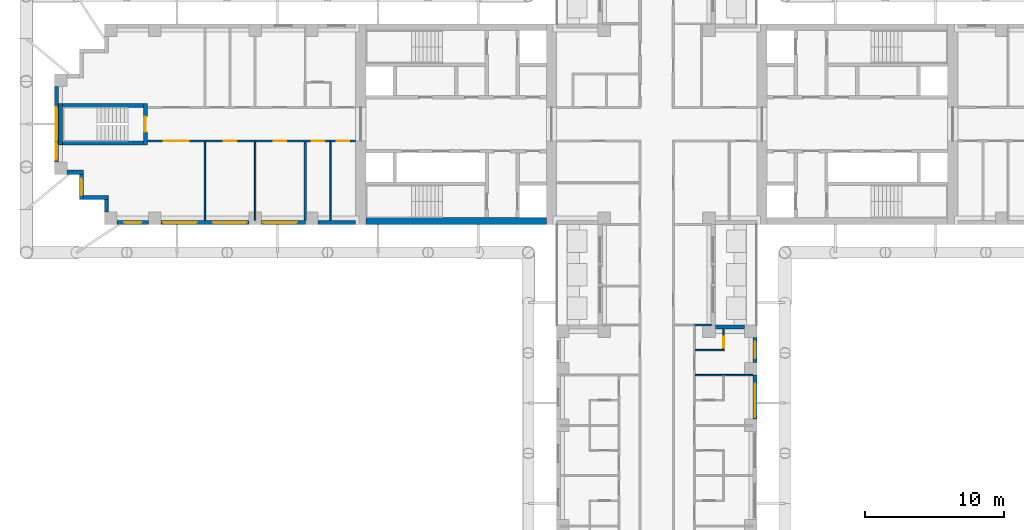
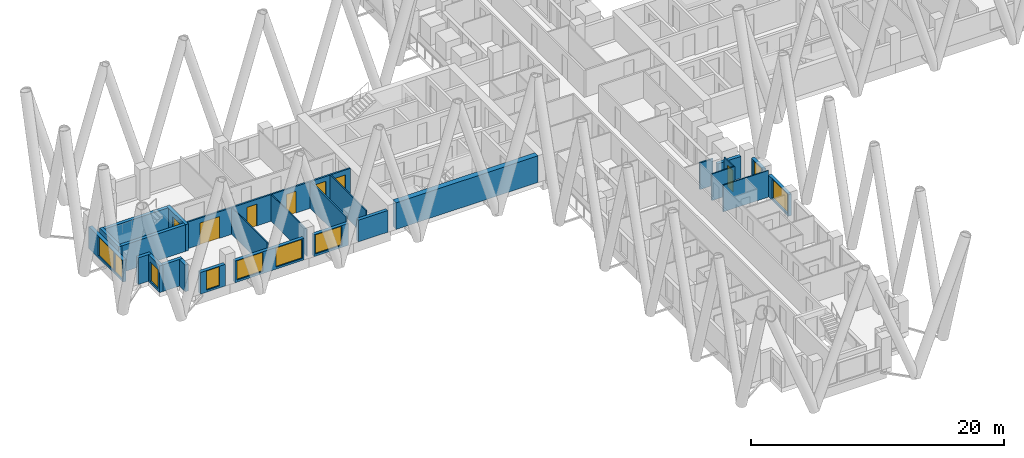
# One storey, part 6 of 16: 26 walls, 9 windows, 7 doors, 16 openings.
"""IFC4 building model written with IfcOpenShell, lengths in metres."""

import ifcopenshell
import ifcopenshell.guid

model = None  # the IFC model being written
_history = None  # IfcOwnerHistory: only IFC2X3 demands one
_inside = {}  # id of a spatial element -> (the spatial element, [elements in it])
_under = {}  # id of a project, library or spatial element -> (it, [spatial elements below it])
_declared = {}  # id of a project -> (the project, [libraries it declares])
_typed = {}  # id of a type object -> (the type object, [elements of that type])
_made_of = {}  # id of a material, layer set ... -> (it, [elements and type objects made of it])


def new_model(schema):
    """Start an empty IFC model of exactly this schema.

    Asked for "IFC4X3", IfcOpenShell would pick the latest addendum, in which some entities
    have other attributes; the version numbers below select the first issue.
    IFC2X3 requires an IfcOwnerHistory on every rooted entity: one is made here for all.
    """
    global model, _history
    if schema == "IFC4X3":
        model = ifcopenshell.file(schema_version=(4, 3, 0, 0))
    else:
        model = ifcopenshell.file(schema=schema)
    _inside.clear()
    _under.clear()
    _declared.clear()
    _typed.clear()
    _made_of.clear()
    _history = None
    if model.schema == "IFC2X3":
        org = make("IfcOrganization", Name="unknown")
        user = make(
            "IfcPersonAndOrganization",
            ThePerson=make("IfcPerson", FamilyName="unknown"),
            TheOrganization=org,
        )
        app = make(
            "IfcApplication",
            ApplicationDeveloper=org,
            Version="unknown",
            ApplicationFullName="unknown",
            ApplicationIdentifier="unknown",
        )
        _history = make(
            "IfcOwnerHistory",
            OwningUser=user,
            OwningApplication=app,
            ChangeAction="ADDED",
            CreationDate=0,
        )
    return model


def make(cls, **values):
    """One entity of the class cls with the attributes given. An attribute that is None is left unset."""
    return model.create_entity(
        cls, **{name: value for name, value in values.items() if value is not None}
    )


def rooted(cls, **values):
    """An entity with a GlobalId (a new one), such as an element, a storey or a relation."""
    return make(cls, GlobalId=ifcopenshell.guid.new(), OwnerHistory=_history, **values)


def si_unit(unit_type, name, prefix=None):
    """IfcSIUnit, for example si_unit("LENGTHUNIT", "METRE", prefix="MILLI")."""
    return make("IfcSIUnit", UnitType=unit_type, Prefix=prefix, Name=name)


def assignment(units):
    """IfcUnitAssignment: the units of a project."""
    return None if units is None else make("IfcUnitAssignment", Units=units)


def point(xyz):
    """IfcCartesianPoint."""
    return None if xyz is None else make("IfcCartesianPoint", Coordinates=xyz)


def direction(xyz):
    """IfcDirection."""
    return None if xyz is None else make("IfcDirection", DirectionRatios=xyz)


def frame(location, z_axis=None, x_axis=None):
    """IfcAxis2Placement3D, a coordinate frame: its origin and axes. An axis left out is left unset."""
    return make(
        "IfcAxis2Placement3D",
        Location=point(location),
        Axis=direction(z_axis),
        RefDirection=direction(x_axis),
    )


def frame_2d(location, x_axis=None):
    """IfcAxis2Placement2D, a coordinate frame in the plane: its origin and x axis."""
    return make(
        "IfcAxis2Placement2D", Location=point(location), RefDirection=direction(x_axis)
    )


def origin():
    """The frame at (0, 0, 0) with its axes left unset."""
    return frame((0.0, 0.0, 0.0))


def place(relative_to, where):
    """IfcLocalPlacement: puts the frame where relative to a parent placement (None: the world)."""
    return make(
        "IfcLocalPlacement", PlacementRelTo=relative_to, RelativePlacement=where
    )


def context(
    kind, dimensions, precision=None, world=None, true_north=None, identifier=None
):
    """IfcGeometricRepresentationContext, for example the 3D "Model" context."""
    return make(
        "IfcGeometricRepresentationContext",
        ContextIdentifier=identifier,
        ContextType=kind,
        CoordinateSpaceDimension=dimensions,
        Precision=precision,
        WorldCoordinateSystem=world,
        TrueNorth=true_north,
    )


def subcontext(parent, identifier, kind, view, scale=None):
    """IfcGeometricRepresentationSubContext, for example "Body" below "Model"."""
    return make(
        "IfcGeometricRepresentationSubContext",
        ContextIdentifier=identifier,
        ContextType=kind,
        ParentContext=parent,
        TargetScale=scale,
        TargetView=view,
    )


def project(units=None, contexts=None):
    """IfcProject with its units and contexts."""
    return rooted(
        "IfcProject",
        Name="project",
        RepresentationContexts=contexts,
        UnitsInContext=assignment(units),
    )


def spatial(cls, under=None, at=None, **own):
    """A site, building, storey or space (cls), placed at a placement, below another one or the project."""
    s = rooted(cls, ObjectPlacement=at, **own)
    if under is not None:
        _under.setdefault(under.id(), (under, []))[1].append(s)
    return s


def profile(cls, at=None, kind="AREA", **sizes):
    """A parametric profile (cls). Its sizes go by their IFC names, for example OverallWidth=200.0."""
    return make(cls, ProfileType=kind, Position=at, **sizes)


def rectangle(**sizes):
    """IfcRectangleProfileDef."""
    return profile("IfcRectangleProfileDef", **sizes)


def extrude(swept, where, along, depth):
    """IfcExtrudedAreaSolid: the profile swept, set in the frame where, extruded along a direction by depth."""
    return make(
        "IfcExtrudedAreaSolid",
        SweptArea=swept,
        Position=where,
        ExtrudedDirection=direction(along),
        Depth=depth,
    )


def shape(context_of_items, identifier, shape_type, items):
    """IfcShapeRepresentation: the items that make up one representation, for example the "Body"."""
    return make(
        "IfcShapeRepresentation",
        ContextOfItems=context_of_items,
        RepresentationIdentifier=identifier,
        RepresentationType=shape_type,
        Items=items,
    )


def material(Name=None, Category=None):
    """IfcMaterial."""
    return make("IfcMaterial", Name=Name, Category=Category)


def layer(
    of_material, thickness, ventilated=None, Name=None, Category=None, Priority=None
):
    """IfcMaterialLayer: one layer of a wall or slab, of a material (None: an air gap)."""
    return make(
        "IfcMaterialLayer",
        Material=of_material,
        LayerThickness=thickness,
        IsVentilated=ventilated,
        Name=Name,
        Category=Category,
        Priority=Priority,
    )


def layer_set(layers, Name=None):
    """IfcMaterialLayerSet."""
    return make("IfcMaterialLayerSet", MaterialLayers=layers, LayerSetName=Name)


def made_of(thing, what):
    """Note that an element or type object is made of a material, layer set ...; save() writes the relation."""
    if what is not None:
        _made_of.setdefault(what.id(), (what, []))[1].append(thing)
    return thing


def type_object(cls, material=None, **own):
    """A type object (cls), such as IfcWallType, which elements share."""
    return made_of(rooted(cls, **own), material)


def element(
    cls,
    number,
    at=None,
    inside=None,
    cuts=None,
    type_object=None,
    material=None,
    context=None,
    identifier="Body",
    shape_type=None,
    held_by="IfcProductDefinitionShape",
    body=None,
    shapes=None,
    **own,
):
    """One element of the class cls, such as IfcWall. Its Tag is "e" and its number.

    at: its placement. inside: the storey or other place that contains it. cuts: it is an
    opening in that element (IfcRelVoidsElement). A single representation is given by context,
    identifier, shape_type and body (its items); several are given by shapes. held_by: the class
    of the entity that holds the representations. save() writes the other relations.
    """
    e = rooted(cls, Tag="e%d" % number, ObjectPlacement=at, **own)
    if body is not None:
        shapes = [shape(context, identifier, shape_type, body)]
    if shapes is not None:
        e.Representation = make(held_by, Representations=shapes)
    if inside is not None:
        _inside.setdefault(inside.id(), (inside, []))[1].append(e)
    if cuts is not None:
        rooted(
            "IfcRelVoidsElement", RelatingBuildingElement=cuts, RelatedOpeningElement=e
        )
    if type_object is not None:
        _typed.setdefault(type_object.id(), (type_object, []))[1].append(e)
    return made_of(e, material)


def fill(opening, filler):
    """IfcRelFillsElement: the door or window that sits in an opening."""
    return rooted(
        "IfcRelFillsElement",
        RelatingOpeningElement=opening,
        RelatedBuildingElement=filler,
    )


def aggregate(whole, parts):
    """IfcRelAggregates: a whole, such as a stair, and the parts it consists of."""
    return rooted("IfcRelAggregates", RelatingObject=whole, RelatedObjects=parts)


def save(model, path):
    """Write the relations noted so far, then the file.

    IfcRelAggregates (storeys below a building ...), IfcRelContainedInSpatialStructure (elements
    in a storey), IfcRelDefinesByType, IfcRelAssociatesMaterial and IfcRelDeclares: one each for
    every whole, place, type object, material and project.
    """
    for whole, parts in _under.values():
        aggregate(whole, parts)
    for where, things in _inside.values():
        rooted(
            "IfcRelContainedInSpatialStructure",
            RelatedElements=things,
            RelatingStructure=where,
        )
    for kind, things in _typed.values():
        rooted("IfcRelDefinesByType", RelatedObjects=things, RelatingType=kind)
    for what, things in _made_of.values():
        rooted("IfcRelAssociatesMaterial", RelatedObjects=things, RelatingMaterial=what)
    for by, libraries in _declared.values():
        rooted("IfcRelDeclares", RelatingContext=by, RelatedDefinitions=libraries)
    model.write(path)


model = new_model("IFC4")

# Units and contexts
model_context = context("Model", 3, precision=1e-05, world=origin(), true_north=direction((0.0, 1.0)))
body_context = subcontext(model_context, "Body", "Model", "MODEL_VIEW")
ifc_project = project(units=[si_unit("LENGTHUNIT", "METRE"), si_unit("AREAUNIT", "SQUARE_METRE"), si_unit("VOLUMEUNIT", "CUBIC_METRE"), si_unit("PLANEANGLEUNIT", "RADIAN"), si_unit("MASSUNIT", "GRAM", prefix="KILO")], contexts=[model_context])

# Site, building, storey
site_placement = place(None, origin())
site = spatial("IfcSite", under=ifc_project, at=site_placement, CompositionType="ELEMENT")
building_placement = place(site_placement, origin())
building = spatial("IfcBuilding", under=site, at=building_placement, Name="Fustian Cross Tower", CompositionType="ELEMENT")
storey_placement = place(building_placement, frame((0.0, 0.0, 20.699951171875)))
storey = spatial("IfcBuildingStorey", under=building, at=storey_placement, Name="L05", CompositionType="ELEMENT", Elevation=20.699951171875)

# Wall, openings, doors
ifc_material_1 = material(Name="Plasterboard on steel stud", Category="steel")
ifc_layer_1 = layer(ifc_material_1, 0.14990234375)
ifc_layer_set_1 = layer_set([ifc_layer_1], Name="Plasterboard on steel stud")
wall_type_1 = type_object("IfcWallType", Name="COMPARTMENT WALL 150 EI 60", PredefinedType="PARTITIONING", material=ifc_layer_set_1)
wall_1_placement = place(storey_placement, frame((-36.5, -1.199951171875, 0.0), z_axis=(0.0, 0.0, 1.0), x_axis=(1.0, 0.0, 0.0)))
wall_1 = element("IfcWall", 1, at=wall_1_placement, inside=storey, type_object=wall_type_1, Name="Partition 1", PredefinedType="PARTITIONING", context=body_context, shape_type="SweptSolid", body=[
    extrude(rectangle(XDim=14.89990234375, YDim=0.14990234375, at=frame_2d((7.449951171875, 0.0))), origin(), (0.0, 0.0, 1.0), 2.574951171875),
])
opening_1_placement = place(wall_1_placement, frame((13.550048828125, 0.0, 0.0)))
opening_1 = element("IfcOpeningElement", 2, at=opening_1_placement, cuts=wall_1, Name="Opening D05039", PredefinedType="OPENING", context=body_context, shape_type="SweptSolid", body=[
    extrude(rectangle(XDim=0.89990234375, YDim=2.10009765625, at=frame_2d((0.449951171875, 1.050048828125))), frame((0.0, 0.0849609375, 0.0), z_axis=(0.0, -1.0, 0.0), x_axis=(1.0, 0.0, 0.0)), (0.0, 0.0, 1.0), 0.169921875),
])
opening_2_placement = place(wall_1_placement, frame((11.75, 0.0, 0.0)))
opening_2 = element("IfcOpeningElement", 3, at=opening_2_placement, cuts=wall_1, Name="Opening D05040", PredefinedType="OPENING", context=body_context, shape_type="SweptSolid", body=[
    extrude(rectangle(XDim=0.89990234375, YDim=2.10009765625, at=frame_2d((0.449951171875, 1.050048828125))), frame((0.0, 0.0849609375, 0.0), z_axis=(0.0, -1.0, 0.0), x_axis=(1.0, 0.0, 0.0)), (0.0, 0.0, 1.0), 0.169921875),
])
opening_3_placement = place(wall_1_placement, frame((9.050048828125, 0.0, 0.0)))
opening_3 = element("IfcOpeningElement", 4, at=opening_3_placement, cuts=wall_1, Name="Opening D05041", PredefinedType="OPENING", context=body_context, shape_type="SweptSolid", body=[
    extrude(rectangle(XDim=0.89990234375, YDim=2.10009765625, at=frame_2d((0.449951171875, 1.050048828125))), frame((0.0, 0.0849609375, 0.0), z_axis=(0.0, -1.0, 0.0), x_axis=(1.0, 0.0, 0.0)), (0.0, 0.0, 1.0), 0.169921875),
])
opening_4_placement = place(wall_1_placement, frame((5.449951171875, 0.0, 0.0)))
opening_4 = element("IfcOpeningElement", 5, at=opening_4_placement, cuts=wall_1, Name="Opening D05042", PredefinedType="OPENING", context=body_context, shape_type="SweptSolid", body=[
    extrude(rectangle(XDim=0.89990234375, YDim=2.10009765625, at=frame_2d((0.449951171875, 1.050048828125))), frame((0.0, 0.0849609375, 0.0), z_axis=(0.0, -1.0, 0.0), x_axis=(1.0, 0.0, 0.0)), (0.0, 0.0, 1.0), 0.169921875),
])
opening_5_placement = place(wall_1_placement, frame((1.14990234375, 0.0, 0.0)))
opening_5 = element("IfcOpeningElement", 6, at=opening_5_placement, cuts=wall_1, Name="Opening D05043", PredefinedType="OPENING", context=body_context, shape_type="SweptSolid", body=[
    extrude(rectangle(XDim=1.800048828125, YDim=2.10009765625, at=frame_2d((0.89990234375, 1.050048828125))), frame((0.0, 0.0849609375, 0.0), z_axis=(0.0, -1.0, 0.0), x_axis=(1.0, 0.0, 0.0)), (0.0, 0.0, 1.0), 0.169921875),
])
ifc_material_2 = material(Name="Timber fire door set", Category="wood")
door_type_1 = type_object("IfcDoorType", Name="FIRE DOUBLE DOOR 1800 FD30S", OperationType="DOUBLE_DOOR_DOUBLE_SWING", PredefinedType="DOOR", material=ifc_material_2)
door_1_placement = place(opening_5_placement, origin())
door_1 = element("IfcDoor", 7, at=door_1_placement, inside=storey, type_object=door_type_1, Name="Door D05043", OperationType="DOUBLE_DOOR_DOUBLE_SWING", OverallHeight=2.10009765625, OverallWidth=1.800048828125, PredefinedType="DOOR", context=body_context, shape_type="SweptSolid", body=[
    extrude(rectangle(XDim=1.800048828125, YDim=2.10009765625, at=frame_2d((0.89990234375, 1.050048828125))), frame((0.0, 0.02490234375, 0.0), z_axis=(0.0, -1.0, 0.0), x_axis=(1.0, 0.0, 0.0)), (0.0, 0.0, 1.0), 0.050048828125),
])
fill(opening_5, door_1)
ifc_material_3 = material(Name="Timber fire door set", Category="wood")
door_type_2 = type_object("IfcDoorType", Name="FIRE SWING DOOR 900 FD30S", OperationType="SINGLE_SWING_LEFT", PredefinedType="DOOR", material=ifc_material_3)
door_2_placement = place(opening_1_placement, frame((0.89990234375, 0.0, 0.0), z_axis=(0.0, 0.0, 1.0), x_axis=(-1.0, 0.0, 0.0)))
door_2 = element("IfcDoor", 8, at=door_2_placement, inside=storey, type_object=door_type_2, Name="Door D05039", OperationType="SINGLE_SWING_LEFT", OverallHeight=2.10009765625, OverallWidth=0.89990234375, PredefinedType="DOOR", context=body_context, shape_type="SweptSolid", body=[
    extrude(rectangle(XDim=0.89990234375, YDim=2.10009765625, at=frame_2d((0.449951171875, 1.050048828125))), frame((0.0, 0.02490234375, 0.0), z_axis=(0.0, -1.0, 0.0), x_axis=(1.0, 0.0, 0.0)), (0.0, 0.0, 1.0), 0.050048828125),
])
fill(opening_1, door_2)
door_3_placement = place(opening_2_placement, frame((0.89990234375, 0.0, 0.0), z_axis=(0.0, 0.0, 1.0), x_axis=(-1.0, 0.0, 0.0)))
door_3 = element("IfcDoor", 9, at=door_3_placement, inside=storey, type_object=door_type_2, Name="Door D05040", OperationType="SINGLE_SWING_LEFT", OverallHeight=2.10009765625, OverallWidth=0.89990234375, PredefinedType="DOOR", context=body_context, shape_type="SweptSolid", body=[
    extrude(rectangle(XDim=0.89990234375, YDim=2.10009765625, at=frame_2d((0.449951171875, 1.050048828125))), frame((0.0, 0.02490234375, 0.0), z_axis=(0.0, -1.0, 0.0), x_axis=(1.0, 0.0, 0.0)), (0.0, 0.0, 1.0), 0.050048828125),
])
fill(opening_2, door_3)
door_4_placement = place(opening_3_placement, frame((0.89990234375, 0.0, 0.0), z_axis=(0.0, 0.0, 1.0), x_axis=(-1.0, 0.0, 0.0)))
door_4 = element("IfcDoor", 10, at=door_4_placement, inside=storey, type_object=door_type_2, Name="Door D05041", OperationType="SINGLE_SWING_RIGHT", OverallHeight=2.10009765625, OverallWidth=0.89990234375, PredefinedType="DOOR", context=body_context, shape_type="SweptSolid", body=[
    extrude(rectangle(XDim=0.89990234375, YDim=2.10009765625, at=frame_2d((0.449951171875, 1.050048828125))), frame((0.0, 0.02490234375, 0.0), z_axis=(0.0, -1.0, 0.0), x_axis=(1.0, 0.0, 0.0)), (0.0, 0.0, 1.0), 0.050048828125),
])
fill(opening_3, door_4)
door_5_placement = place(opening_4_placement, frame((0.89990234375, 0.0, 0.0), z_axis=(0.0, 0.0, 1.0), x_axis=(-1.0, 0.0, 0.0)))
door_5 = element("IfcDoor", 11, at=door_5_placement, inside=storey, type_object=door_type_2, Name="Door D05042", OperationType="SINGLE_SWING_RIGHT", OverallHeight=2.10009765625, OverallWidth=0.89990234375, PredefinedType="DOOR", context=body_context, shape_type="SweptSolid", body=[
    extrude(rectangle(XDim=0.89990234375, YDim=2.10009765625, at=frame_2d((0.449951171875, 1.050048828125))), frame((0.0, 0.02490234375, 0.0), z_axis=(0.0, -1.0, 0.0), x_axis=(1.0, 0.0, 0.0)), (0.0, 0.0, 1.0), 0.050048828125),
])
fill(opening_4, door_5)

# Walls
wall_2_placement = place(storey_placement, frame((-25.199951171875, -6.89990234375, 0.0), z_axis=(0.0, 0.0, 1.0), x_axis=(0.0, 1.0, 0.0)))
element("IfcWall", 12, at=wall_2_placement, inside=storey, type_object=wall_type_1, Name="Partition 8", PredefinedType="PARTITIONING", context=body_context, shape_type="SweptSolid", body=[
    extrude(rectangle(XDim=5.625, YDim=0.14990234375, at=frame_2d((2.8125, 0.0))), origin(), (0.0, 0.0, 1.0), 2.574951171875),
])
ifc_material_4 = material(Name="Concrete C80/95", Category="concrete")
ifc_layer_2 = layer(ifc_material_4, 0.5)
ifc_layer_set_2 = layer_set([ifc_layer_2], Name="Concrete C80/95")
wall_type_2 = type_object("IfcWallType", Name="CORE FACADE WALL 500 C80/95", PredefinedType="SHEAR", material=ifc_layer_set_2)
wall_3_placement = place(storey_placement, frame((-7.89990234375, -6.949951171875, 0.0), z_axis=(0.0, 0.0, 1.0), x_axis=(-1.0, 0.0, 0.0)))
element("IfcWall", 13, at=wall_3_placement, inside=storey, type_object=wall_type_2, Name="Core facade wall", PredefinedType="SHEAR", context=body_context, shape_type="SweptSolid", body=[
    extrude(rectangle(XDim=12.9501953125, YDim=0.5, at=frame_2d((6.47509765625, 0.0))), origin(), (0.0, 0.0, 1.0), 2.574951171875),
])
ifc_material_5 = material(Name="Plasterboard on steel stud", Category="steel")
ifc_layer_3 = layer(ifc_material_5, 0.10009765625)
ifc_layer_set_3 = layer_set([ifc_layer_3], Name="Plasterboard on steel stud")
wall_type_3 = type_object("IfcWallType", Name="PARTITION 100 STUD", PredefinedType="PARTITIONING", material=ifc_layer_set_3)
for number, where, z_axis, x_axis, name in (
    (14, (-32.39990234375, -6.89990234375, 0.0), (0.0, 0.0, 1.0), (0.0, 1.0, 0.0), "Partition 3"),
    (15, (-28.800048828125, -6.89990234375, 0.0), (0.0, 0.0, 1.0), (0.0, 1.0, 0.0), "Partition 6"),
    (16, (-23.39990234375, -6.89990234375, 0.0), (0.0, 0.0, 1.0), (0.0, 1.0, 0.0), "Partition 12"),
):
    element("IfcWall", number, at=place(storey_placement, frame(where, z_axis=z_axis, x_axis=x_axis)), inside=storey, type_object=wall_type_3, Name=name, PredefinedType="PARTITIONING", context=body_context, shape_type="SweptSolid", body=[
        extrude(rectangle(XDim=5.625, YDim=0.10009765625, at=frame_2d((2.8125, 0.0))), origin(), (0.0, 0.0, 1.0), 2.574951171875),
    ])
wall_4_placement = place(storey_placement, frame((2.75, -18.0, 0.0), z_axis=(0.0, 0.0, 1.0), x_axis=(1.0, 0.0, 0.0)))
element("IfcWall", 17, at=wall_4_placement, inside=storey, type_object=wall_type_3, Name="Partition 72", PredefinedType="PARTITIONING", context=body_context, shape_type="SweptSolid", body=[
    extrude(rectangle(XDim=4.14990234375, YDim=0.10009765625, at=frame_2d((2.074951171875, 0.0))), origin(), (0.0, 0.0, 1.0), 2.574951171875),
])
wall_5_placement = place(storey_placement, frame((2.75, -16.199951171875, 0.0), z_axis=(0.0, 0.0, 1.0), x_axis=(1.0, 0.0, 0.0)))
element("IfcWall", 18, at=wall_5_placement, inside=storey, type_object=wall_type_3, Name="Partition 73", PredefinedType="PARTITIONING", context=body_context, shape_type="SweptSolid", body=[
    extrude(rectangle(XDim=2.10009765625, YDim=0.10009765625, at=frame_2d((1.050048828125, 0.0))), origin(), (0.0, 0.0, 1.0), 2.574951171875),
])

# Wall, opening, door
wall_6_placement = place(storey_placement, frame((4.800048828125, -16.14990234375, 0.0), z_axis=(0.0, 0.0, 1.0), x_axis=(0.0, 1.0, 0.0)))
wall_6 = element("IfcWall", 19, at=wall_6_placement, inside=storey, type_object=wall_type_3, Name="Partition 83", PredefinedType="PARTITIONING", context=body_context, shape_type="SweptSolid", body=[
    extrude(rectangle(XDim=1.449951171875, YDim=0.10009765625, at=frame_2d((0.72509765625, 0.0))), origin(), (0.0, 0.0, 1.0), 2.574951171875),
])
opening_6_placement = place(wall_6_placement, frame((0.10009765625, 0.0, 0.0)))
opening_6 = element("IfcOpeningElement", 20, at=opening_6_placement, cuts=wall_6, Name="Opening D05059", PredefinedType="OPENING", context=body_context, shape_type="SweptSolid", body=[
    extrude(rectangle(XDim=0.800048828125, YDim=2.10009765625, at=frame_2d((0.39990234375, 1.050048828125))), frame((0.0, 0.06005859375, 0.0), z_axis=(0.0, -1.0, 0.0), x_axis=(1.0, 0.0, 0.0)), (0.0, 0.0, 1.0), 0.1201171875),
])
ifc_material_6 = material(Name="Painted timber", Category="wood")
door_type_3 = type_object("IfcDoorType", Name="SWING DOOR 800", OperationType="SINGLE_SWING_LEFT", PredefinedType="DOOR", material=ifc_material_6)
door_6_placement = place(opening_6_placement, frame((0.800048828125, 0.0, 0.0), z_axis=(0.0, 0.0, 1.0), x_axis=(-1.0, 0.0, 0.0)))
door_6 = element("IfcDoor", 21, at=door_6_placement, inside=storey, type_object=door_type_3, Name="Door D05059", OperationType="SINGLE_SWING_LEFT", OverallHeight=2.10009765625, OverallWidth=0.800048828125, PredefinedType="DOOR", context=body_context, shape_type="SweptSolid", body=[
    extrude(rectangle(XDim=0.800048828125, YDim=2.10009765625, at=frame_2d((0.39990234375, 1.050048828125))), frame((0.0, 0.02490234375, 0.0), z_axis=(0.0, -1.0, 0.0), x_axis=(1.0, 0.0, 0.0)), (0.0, 0.0, 1.0), 0.050048828125),
])
fill(opening_6, door_6)

ifc_material_7 = material(Name="Concrete C50/60", Category="concrete")
ifc_layer_4 = layer(ifc_material_7, 0.300048828125)
ifc_layer_set_4 = layer_set([ifc_layer_4], Name="Concrete C50/60")
wall_type_4 = type_object("IfcWallType", Name="STAIR ENCLOSURE WALL 300 C50/60", PredefinedType="SHEAR", material=ifc_layer_set_4)
wall_7_placement = place(storey_placement, frame((-36.64990234375, -1.5, 0.0), z_axis=(0.0, 0.0, 1.0), x_axis=(0.0, 1.0, 0.0)))
wall_7 = element("IfcWall", 22, at=wall_7_placement, inside=storey, type_object=wall_type_4, Name="Stair enclosure wall", PredefinedType="SHEAR", context=body_context, shape_type="SweptSolid", body=[
    extrude(rectangle(XDim=3.0, YDim=0.300048828125, at=frame_2d((1.5, 0.0))), origin(), (0.0, 0.0, 1.0), 2.574951171875),
])
opening_7_placement = place(wall_7_placement, frame((0.949951171875, 0.0, 0.0)))
opening_7 = element("IfcOpeningElement", 23, at=opening_7_placement, cuts=wall_7, Name="Opening CD-05-34", PredefinedType="OPENING", context=body_context, shape_type="SweptSolid", body=[
    extrude(rectangle(XDim=1.10009765625, YDim=2.10009765625, at=frame_2d((0.550048828125, 1.050048828125))), frame((0.0, 0.159912109375, 0.0), z_axis=(0.0, -1.0, 0.0), x_axis=(1.0, 0.0, 0.0)), (0.0, 0.0, 1.0), 0.320068359375),
])
ifc_material_8 = material(Name="Steel", Category="steel")
door_type_4 = type_object("IfcDoorType", Name="FIRE DOOR FD60S 1100X2100", OperationType="SINGLE_SWING_LEFT", PredefinedType="DOOR", material=ifc_material_8)
door_7_placement = place(opening_7_placement, origin())
door_7 = element("IfcDoor", 24, at=door_7_placement, inside=storey, type_object=door_type_4, Name="Core door CD-05-34", OperationType="SINGLE_SWING_LEFT", OverallHeight=2.10009765625, OverallWidth=1.10009765625, PredefinedType="DOOR", context=body_context, shape_type="SweptSolid", body=[
    extrude(rectangle(XDim=1.10009765625, YDim=2.10009765625, at=frame_2d((0.550048828125, 1.050048828125))), frame((0.0, 0.02490234375, 0.0), z_axis=(0.0, -1.0, 0.0), x_axis=(1.0, 0.0, 0.0)), (0.0, 0.0, 1.0), 0.050048828125),
])
fill(opening_7, door_7)

# Walls
wall_8_placement = place(storey_placement, frame((-42.75, -1.5, 0.0), z_axis=(0.0, 0.0, 1.0), x_axis=(0.0, 1.0, 0.0)))
element("IfcWall", 25, at=wall_8_placement, inside=storey, type_object=wall_type_4, Name="Stair enclosure wall", PredefinedType="SHEAR", context=body_context, shape_type="SweptSolid", body=[
    extrude(rectangle(XDim=3.0, YDim=0.300048828125, at=frame_2d((1.5, 0.0))), origin(), (0.0, 0.0, 1.0), 2.574951171875),
])
for number, where, z_axis, x_axis, name in (
    (26, (-36.800048828125, -1.35009765625, 0.0), (0.0, 0.0, 1.0), (-1.0, 0.0, 0.0), "Stair enclosure wall"),
    (27, (-36.800048828125, 1.35009765625, 0.0), (0.0, 0.0, 1.0), (-1.0, 0.0, 0.0), "Stair enclosure wall"),
):
    element("IfcWall", number, at=place(storey_placement, frame(where, z_axis=z_axis, x_axis=x_axis)), inside=storey, type_object=wall_type_4, Name=name, PredefinedType="SHEAR", context=body_context, shape_type="SweptSolid", body=[
        extrude(rectangle(XDim=5.800048828125, YDim=0.300048828125, at=frame_2d((2.89990234375, 0.0))), origin(), (0.0, 0.0, 1.0), 2.574951171875),
    ])
ifc_material_9 = material(Name="Plasterboard on steel stud", Category="steel")
ifc_layer_5 = layer(ifc_material_9, 0.125)
ifc_layer_set_5 = layer_set([ifc_layer_5], Name="Plasterboard on steel stud")
wall_type_5 = type_object("IfcWallType", Name="WET WALL 125 STUD", PredefinedType="PARTITIONING", material=ifc_layer_set_5)
wall_9_placement = place(storey_placement, frame((2.699951171875, -14.39990234375, 0.0), z_axis=(0.0, 0.0, 1.0), x_axis=(1.0, 0.0, 0.0)))
element("IfcWall", 28, at=wall_9_placement, inside=storey, type_object=wall_type_5, Name="Partition 74", PredefinedType="PARTITIONING", context=body_context, shape_type="SweptSolid", body=[
    extrude(rectangle(XDim=1.199951171875, YDim=0.125, at=frame_2d((0.60009765625, 0.0))), origin(), (0.0, 0.0, 1.0), 2.574951171875),
])

# Wall, openings, windows
ifc_material_10 = material(Name="Dark aluminium cladding on insulated backing wall", Category="aluminium")
ifc_layer_6 = layer(ifc_material_10, 0.300048828125)
ifc_layer_set_6 = layer_set([ifc_layer_6], Name="Dark aluminium cladding on insulated backing wall")
wall_type_6 = type_object("IfcWallType", Name="XW1 EXTERNAL WALL 300", PredefinedType="SOLIDWALL", material=ifc_layer_set_6)
wall_10_placement = place(storey_placement, frame((-43.050048828125, 2.699951171875, 0.0), z_axis=(0.0, 0.0, 1.0), x_axis=(0.0, -1.0, 0.0)))
wall_10 = element("IfcWall", 29, at=wall_10_placement, inside=storey, type_object=wall_type_6, Name="External wall", PredefinedType="SOLIDWALL", context=body_context, shape_type="SweptSolid", body=[
    extrude(rectangle(XDim=5.39990234375, YDim=0.300048828125, at=frame_2d((2.699951171875, 0.0))), origin(), (0.0, 0.0, 1.0), 2.10009765625),
])
opening_8_placement = place(wall_10_placement, frame((1.5, 0.0, 0.199951171875)))
opening_8 = element("IfcOpeningElement", 30, at=opening_8_placement, cuts=wall_10, Name="Opening WN1", PredefinedType="OPENING", context=body_context, shape_type="SweptSolid", body=[
    extrude(rectangle(XDim=2.39990234375, YDim=1.85009765625, at=frame_2d((1.199951171875, 0.925048828125))), frame((0.0, 0.159912109375, 0.0), z_axis=(0.0, -1.0, 0.0), x_axis=(1.0, 0.0, 0.0)), (0.0, 0.0, 1.0), 0.320068359375),
])
opening_9_placement = place(wall_10_placement, frame((4.050048828125, 0.0, 0.199951171875)))
opening_9 = element("IfcOpeningElement", 31, at=opening_9_placement, cuts=wall_10, Name="Opening WN3", PredefinedType="OPENING", context=body_context, shape_type="SweptSolid", body=[
    extrude(rectangle(XDim=1.199951171875, YDim=1.85009765625, at=frame_2d((0.60009765625, 0.925048828125))), frame((0.0, 0.159912109375, 0.0), z_axis=(0.0, -1.0, 0.0), x_axis=(1.0, 0.0, 0.0)), (0.0, 0.0, 1.0), 0.320068359375),
])
ifc_material_11 = material(Name="Dark anodised aluminium and double glazing", Category="aluminium")
window_type_1 = type_object("IfcWindowType", Name="WN1 WINDOW 2400X1850", PartitioningType="SINGLE_PANEL", PredefinedType="WINDOW", material=ifc_material_11)
window_1_placement = place(opening_8_placement, origin())
window_1 = element("IfcWindow", 32, at=window_1_placement, inside=storey, type_object=window_type_1, Name="Window", OverallHeight=1.85009765625, OverallWidth=2.39990234375, PartitioningType="SINGLE_PANEL", PredefinedType="WINDOW", context=body_context, shape_type="SweptSolid", body=[
    extrude(rectangle(XDim=2.39990234375, YDim=1.85009765625, at=frame_2d((1.199951171875, 0.925048828125))), frame((0.0, 0.030029296875, 0.0), z_axis=(0.0, -1.0, 0.0), x_axis=(1.0, 0.0, 0.0)), (0.0, 0.0, 1.0), 0.06005859375),
])
fill(opening_8, window_1)
ifc_material_12 = material(Name="Dark anodised aluminium and double glazing", Category="aluminium")
window_type_2 = type_object("IfcWindowType", Name="WN3 WINDOW 1200X1850", PartitioningType="SINGLE_PANEL", PredefinedType="WINDOW", material=ifc_material_12)
window_2_placement = place(opening_9_placement, origin())
window_2 = element("IfcWindow", 33, at=window_2_placement, inside=storey, type_object=window_type_2, Name="Window", OverallHeight=1.85009765625, OverallWidth=1.199951171875, PartitioningType="SINGLE_PANEL", PredefinedType="WINDOW", context=body_context, shape_type="SweptSolid", body=[
    extrude(rectangle(XDim=1.199951171875, YDim=1.85009765625, at=frame_2d((0.60009765625, 0.925048828125))), frame((0.0, 0.030029296875, 0.0), z_axis=(0.0, -1.0, 0.0), x_axis=(1.0, 0.0, 0.0)), (0.0, 0.0, 1.0), 0.06005859375),
])
fill(opening_9, window_2)

# Wall
wall_11_placement = place(storey_placement, frame((-42.300048828125, -3.449951171875, 0.0), z_axis=(0.0, 0.0, 1.0), x_axis=(1.0, 0.0, 0.0)))
element("IfcWall", 34, at=wall_11_placement, inside=storey, type_object=wall_type_6, Name="External wall", PredefinedType="SOLIDWALL", context=body_context, shape_type="SweptSolid", body=[
    extrude(rectangle(XDim=1.199951171875, YDim=0.300048828125, at=frame_2d((0.60009765625, 0.0))), origin(), (0.0, 0.0, 1.0), 2.574951171875),
])

# Wall, opening, window
wall_12_placement = place(storey_placement, frame((-41.25, -3.60009765625, 0.0), z_axis=(0.0, 0.0, 1.0), x_axis=(0.0, -1.0, 0.0)))
wall_12 = element("IfcWall", 35, at=wall_12_placement, inside=storey, type_object=wall_type_6, Name="External wall", PredefinedType="SOLIDWALL", context=body_context, shape_type="SweptSolid", body=[
    extrude(rectangle(XDim=1.7998046875, YDim=0.300048828125, at=frame_2d((0.89990234375, 0.0))), origin(), (0.0, 0.0, 1.0), 2.574951171875),
])
opening_10_placement = place(wall_12_placement, frame((0.300048828125, 0.0, 0.199951171875)))
opening_10 = element("IfcOpeningElement", 36, at=opening_10_placement, cuts=wall_12, Name="Opening WN3", PredefinedType="OPENING", context=body_context, shape_type="SweptSolid", body=[
    extrude(rectangle(XDim=1.199951171875, YDim=1.85009765625, at=frame_2d((0.60009765625, 0.925048828125))), frame((0.0, 0.159912109375, 0.0), z_axis=(0.0, -1.0, 0.0), x_axis=(1.0, 0.0, 0.0)), (0.0, 0.0, 1.0), 0.320068359375),
])
window_3_placement = place(opening_10_placement, origin())
window_3 = element("IfcWindow", 37, at=window_3_placement, inside=storey, type_object=window_type_2, Name="Window", OverallHeight=1.85009765625, OverallWidth=1.199951171875, PartitioningType="SINGLE_PANEL", PredefinedType="WINDOW", context=body_context, shape_type="SweptSolid", body=[
    extrude(rectangle(XDim=1.199951171875, YDim=1.85009765625, at=frame_2d((0.60009765625, 0.925048828125))), frame((0.0, 0.030029296875, 0.0), z_axis=(0.0, -1.0, 0.0), x_axis=(1.0, 0.0, 0.0)), (0.0, 0.0, 1.0), 0.06005859375),
])
fill(opening_10, window_3)

# Walls
wall_13_placement = place(storey_placement, frame((-41.10009765625, -5.25, 0.0), z_axis=(0.0, 0.0, 1.0), x_axis=(1.0, 0.0, 0.0)))
element("IfcWall", 38, at=wall_13_placement, inside=storey, type_object=wall_type_6, Name="External wall", PredefinedType="SOLIDWALL", context=body_context, shape_type="SweptSolid", body=[
    extrude(rectangle(XDim=1.800048828125, YDim=0.300048828125, at=frame_2d((0.89990234375, 0.0))), origin(), (0.0, 0.0, 1.0), 2.574951171875),
])
wall_14_placement = place(storey_placement, frame((-39.449951171875, -5.39990234375, 0.0), z_axis=(0.0, 0.0, 1.0), x_axis=(0.0, -1.0, 0.0)))
element("IfcWall", 39, at=wall_14_placement, inside=storey, type_object=wall_type_6, Name="External wall", PredefinedType="SOLIDWALL", context=body_context, shape_type="SweptSolid", body=[
    extrude(rectangle(XDim=0.900146484375, YDim=0.300048828125, at=frame_2d((0.4501953125, 0.0))), origin(), (0.0, 0.0, 1.0), 2.574951171875),
])

# Wall, opening, window
wall_15_placement = place(storey_placement, frame((-38.699951171875, -7.050048828125, 0.0), z_axis=(0.0, 0.0, 1.0), x_axis=(1.0, 0.0, 0.0)))
wall_15 = element("IfcWall", 40, at=wall_15_placement, inside=storey, type_object=wall_type_6, Name="External wall", PredefinedType="SOLIDWALL", context=body_context, shape_type="SweptSolid", body=[
    extrude(rectangle(XDim=2.25, YDim=0.300048828125, at=frame_2d((1.125, 0.0))), origin(), (0.0, 0.0, 1.0), 2.10009765625),
])
opening_11_placement = place(wall_15_placement, frame((0.52490234375, 0.0, 0.199951171875)))
opening_11 = element("IfcOpeningElement", 41, at=opening_11_placement, cuts=wall_15, Name="Opening WN3", PredefinedType="OPENING", context=body_context, shape_type="SweptSolid", body=[
    extrude(rectangle(XDim=1.199951171875, YDim=1.85009765625, at=frame_2d((0.60009765625, 0.925048828125))), frame((0.0, 0.159912109375, 0.0), z_axis=(0.0, -1.0, 0.0), x_axis=(1.0, 0.0, 0.0)), (0.0, 0.0, 1.0), 0.320068359375),
])
window_4_placement = place(opening_11_placement, origin())
window_4 = element("IfcWindow", 42, at=window_4_placement, inside=storey, type_object=window_type_2, Name="Window", OverallHeight=1.85009765625, OverallWidth=1.199951171875, PartitioningType="SINGLE_PANEL", PredefinedType="WINDOW", context=body_context, shape_type="SweptSolid", body=[
    extrude(rectangle(XDim=1.199951171875, YDim=1.85009765625, at=frame_2d((0.60009765625, 0.925048828125))), frame((0.0, 0.030029296875, 0.0), z_axis=(0.0, -1.0, 0.0), x_axis=(1.0, 0.0, 0.0)), (0.0, 0.0, 1.0), 0.06005859375),
])
fill(opening_11, window_4)

# Wall, openings, windows
wall_16_placement = place(storey_placement, frame((-35.550048828125, -7.050048828125, 0.0), z_axis=(0.0, 0.0, 1.0), x_axis=(1.0, 0.0, 0.0)))
wall_16 = element("IfcWall", 43, at=wall_16_placement, inside=storey, type_object=wall_type_6, Name="External wall", PredefinedType="SOLIDWALL", context=body_context, shape_type="SweptSolid", body=[
    extrude(rectangle(XDim=6.300048828125, YDim=0.300048828125, at=frame_2d((3.14990234375, 0.0))), origin(), (0.0, 0.0, 1.0), 2.10009765625),
])
opening_12_placement = place(wall_16_placement, frame((0.14990234375, 0.0, 0.199951171875)))
opening_12 = element("IfcOpeningElement", 44, at=opening_12_placement, cuts=wall_16, Name="Opening WN1", PredefinedType="OPENING", context=body_context, shape_type="SweptSolid", body=[
    extrude(rectangle(XDim=2.39990234375, YDim=1.85009765625, at=frame_2d((1.199951171875, 0.925048828125))), frame((0.0, 0.159912109375, 0.0), z_axis=(0.0, -1.0, 0.0), x_axis=(1.0, 0.0, 0.0)), (0.0, 0.0, 1.0), 0.320068359375),
])
opening_13_placement = place(wall_16_placement, frame((3.75, 0.0, 0.199951171875)))
opening_13 = element("IfcOpeningElement", 45, at=opening_13_placement, cuts=wall_16, Name="Opening WN1", PredefinedType="OPENING", context=body_context, shape_type="SweptSolid", body=[
    extrude(rectangle(XDim=2.39990234375, YDim=1.85009765625, at=frame_2d((1.199951171875, 0.925048828125))), frame((0.0, 0.159912109375, 0.0), z_axis=(0.0, -1.0, 0.0), x_axis=(1.0, 0.0, 0.0)), (0.0, 0.0, 1.0), 0.320068359375),
])
window_5_placement = place(opening_12_placement, origin())
window_5 = element("IfcWindow", 46, at=window_5_placement, inside=storey, type_object=window_type_1, Name="Window", OverallHeight=1.85009765625, OverallWidth=2.39990234375, PartitioningType="SINGLE_PANEL", PredefinedType="WINDOW", context=body_context, shape_type="SweptSolid", body=[
    extrude(rectangle(XDim=2.39990234375, YDim=1.85009765625, at=frame_2d((1.199951171875, 0.925048828125))), frame((0.0, 0.030029296875, 0.0), z_axis=(0.0, -1.0, 0.0), x_axis=(1.0, 0.0, 0.0)), (0.0, 0.0, 1.0), 0.06005859375),
])
fill(opening_12, window_5)
window_6_placement = place(opening_13_placement, origin())
window_6 = element("IfcWindow", 47, at=window_6_placement, inside=storey, type_object=window_type_1, Name="Window", OverallHeight=1.85009765625, OverallWidth=2.39990234375, PartitioningType="SINGLE_PANEL", PredefinedType="WINDOW", context=body_context, shape_type="SweptSolid", body=[
    extrude(rectangle(XDim=2.39990234375, YDim=1.85009765625, at=frame_2d((1.199951171875, 0.925048828125))), frame((0.0, 0.030029296875, 0.0), z_axis=(0.0, -1.0, 0.0), x_axis=(1.0, 0.0, 0.0)), (0.0, 0.0, 1.0), 0.06005859375),
])
fill(opening_13, window_6)

# Wall, opening, window
wall_17_placement = place(storey_placement, frame((-28.35009765625, -7.050048828125, 0.0), z_axis=(0.0, 0.0, 1.0), x_axis=(1.0, 0.0, 0.0)))
wall_17 = element("IfcWall", 48, at=wall_17_placement, inside=storey, type_object=wall_type_6, Name="External wall", PredefinedType="SOLIDWALL", context=body_context, shape_type="SweptSolid", body=[
    extrude(rectangle(XDim=3.150146484375, YDim=0.300048828125, at=frame_2d((1.5751953125, 0.0))), origin(), (0.0, 0.0, 1.0), 2.10009765625),
])
opening_14_placement = place(wall_17_placement, frame((0.14990234375, 0.0, 0.199951171875)))
opening_14 = element("IfcOpeningElement", 49, at=opening_14_placement, cuts=wall_17, Name="Opening WN1", PredefinedType="OPENING", context=body_context, shape_type="SweptSolid", body=[
    extrude(rectangle(XDim=2.39990234375, YDim=1.85009765625, at=frame_2d((1.199951171875, 0.925048828125))), frame((0.0, 0.159912109375, 0.0), z_axis=(0.0, -1.0, 0.0), x_axis=(1.0, 0.0, 0.0)), (0.0, 0.0, 1.0), 0.320068359375),
])
window_7_placement = place(opening_14_placement, origin())
window_7 = element("IfcWindow", 50, at=window_7_placement, inside=storey, type_object=window_type_1, Name="Window", OverallHeight=1.85009765625, OverallWidth=2.39990234375, PartitioningType="SINGLE_PANEL", PredefinedType="WINDOW", context=body_context, shape_type="SweptSolid", body=[
    extrude(rectangle(XDim=2.39990234375, YDim=1.85009765625, at=frame_2d((1.199951171875, 0.925048828125))), frame((0.0, 0.030029296875, 0.0), z_axis=(0.0, -1.0, 0.0), x_axis=(1.0, 0.0, 0.0)), (0.0, 0.0, 1.0), 0.06005859375),
])
fill(opening_14, window_7)

# Wall
wall_18_placement = place(storey_placement, frame((-24.300048828125, -7.050048828125, 0.0), z_axis=(0.0, 0.0, 1.0), x_axis=(1.0, 0.0, 0.0)))
element("IfcWall", 51, at=wall_18_placement, inside=storey, type_object=wall_type_6, Name="External wall", PredefinedType="SOLIDWALL", context=body_context, shape_type="SweptSolid", body=[
    extrude(rectangle(XDim=2.699951171875, YDim=0.300048828125, at=frame_2d((1.35009765625, 0.0))), origin(), (0.0, 0.0, 1.0), 2.10009765625),
])

# Wall, opening, window
wall_19_placement = place(storey_placement, frame((7.050048828125, -21.14990234375, 0.0), z_axis=(0.0, 0.0, 1.0), x_axis=(0.0, 1.0, 0.0)))
wall_19 = element("IfcWall", 52, at=wall_19_placement, inside=storey, type_object=wall_type_6, Name="External wall", PredefinedType="SOLIDWALL", context=body_context, shape_type="SweptSolid", body=[
    extrude(rectangle(XDim=3.14990234375, YDim=0.300048828125, at=frame_2d((1.574951171875, 0.0))), origin(), (0.0, 0.0, 1.0), 2.10009765625),
])
opening_15_placement = place(wall_19_placement, frame((0.14990234375, 0.0, 0.199951171875)))
opening_15 = element("IfcOpeningElement", 53, at=opening_15_placement, cuts=wall_19, Name="Opening WN1", PredefinedType="OPENING", context=body_context, shape_type="SweptSolid", body=[
    extrude(rectangle(XDim=2.39990234375, YDim=1.85009765625, at=frame_2d((1.199951171875, 0.925048828125))), frame((0.0, 0.159912109375, 0.0), z_axis=(0.0, -1.0, 0.0), x_axis=(1.0, 0.0, 0.0)), (0.0, 0.0, 1.0), 0.320068359375),
])
window_8_placement = place(opening_15_placement, origin())
window_8 = element("IfcWindow", 54, at=window_8_placement, inside=storey, type_object=window_type_1, Name="Window", OverallHeight=1.85009765625, OverallWidth=2.39990234375, PartitioningType="SINGLE_PANEL", PredefinedType="WINDOW", context=body_context, shape_type="SweptSolid", body=[
    extrude(rectangle(XDim=2.39990234375, YDim=1.85009765625, at=frame_2d((1.199951171875, 0.925048828125))), frame((0.0, 0.030029296875, 0.0), z_axis=(0.0, -1.0, 0.0), x_axis=(1.0, 0.0, 0.0)), (0.0, 0.0, 1.0), 0.06005859375),
])
fill(opening_15, window_8)

wall_20_placement = place(storey_placement, frame((7.050048828125, -17.10009765625, 0.0), z_axis=(0.0, 0.0, 1.0), x_axis=(0.0, 1.0, 0.0)))
wall_20 = element("IfcWall", 55, at=wall_20_placement, inside=storey, type_object=wall_type_6, Name="External wall", PredefinedType="SOLIDWALL", context=body_context, shape_type="SweptSolid", body=[
    extrude(rectangle(XDim=1.800048828125, YDim=0.300048828125, at=frame_2d((0.89990234375, 0.0))), origin(), (0.0, 0.0, 1.0), 2.10009765625),
])
opening_16_placement = place(wall_20_placement, frame((0.300048828125, 0.0, 0.199951171875)))
opening_16 = element("IfcOpeningElement", 56, at=opening_16_placement, cuts=wall_20, Name="Opening WN3", PredefinedType="OPENING", context=body_context, shape_type="SweptSolid", body=[
    extrude(rectangle(XDim=1.199951171875, YDim=1.85009765625, at=frame_2d((0.60009765625, 0.925048828125))), frame((0.0, 0.159912109375, 0.0), z_axis=(0.0, -1.0, 0.0), x_axis=(1.0, 0.0, 0.0)), (0.0, 0.0, 1.0), 0.320068359375),
])
window_9_placement = place(opening_16_placement, origin())
window_9 = element("IfcWindow", 57, at=window_9_placement, inside=storey, type_object=window_type_2, Name="Window", OverallHeight=1.85009765625, OverallWidth=1.199951171875, PartitioningType="SINGLE_PANEL", PredefinedType="WINDOW", context=body_context, shape_type="SweptSolid", body=[
    extrude(rectangle(XDim=1.199951171875, YDim=1.85009765625, at=frame_2d((0.60009765625, 0.925048828125))), frame((0.0, 0.030029296875, 0.0), z_axis=(0.0, -1.0, 0.0), x_axis=(1.0, 0.0, 0.0)), (0.0, 0.0, 1.0), 0.06005859375),
])
fill(opening_16, window_9)

# Wall
wall_21_placement = place(storey_placement, frame((6.300048828125, -14.550048828125, 0.0), z_axis=(0.0, 0.0, 1.0), x_axis=(-1.0, 0.0, 0.0)))
element("IfcWall", 58, at=wall_21_placement, inside=storey, type_object=wall_type_6, Name="External wall", PredefinedType="SOLIDWALL", context=body_context, shape_type="SweptSolid", body=[
    extrude(rectangle(XDim=2.10009765625, YDim=0.300048828125, at=frame_2d((1.050048828125, 0.0))), origin(), (0.0, 0.0, 1.0), 2.10009765625),
])

save(model, "model.ifc")
